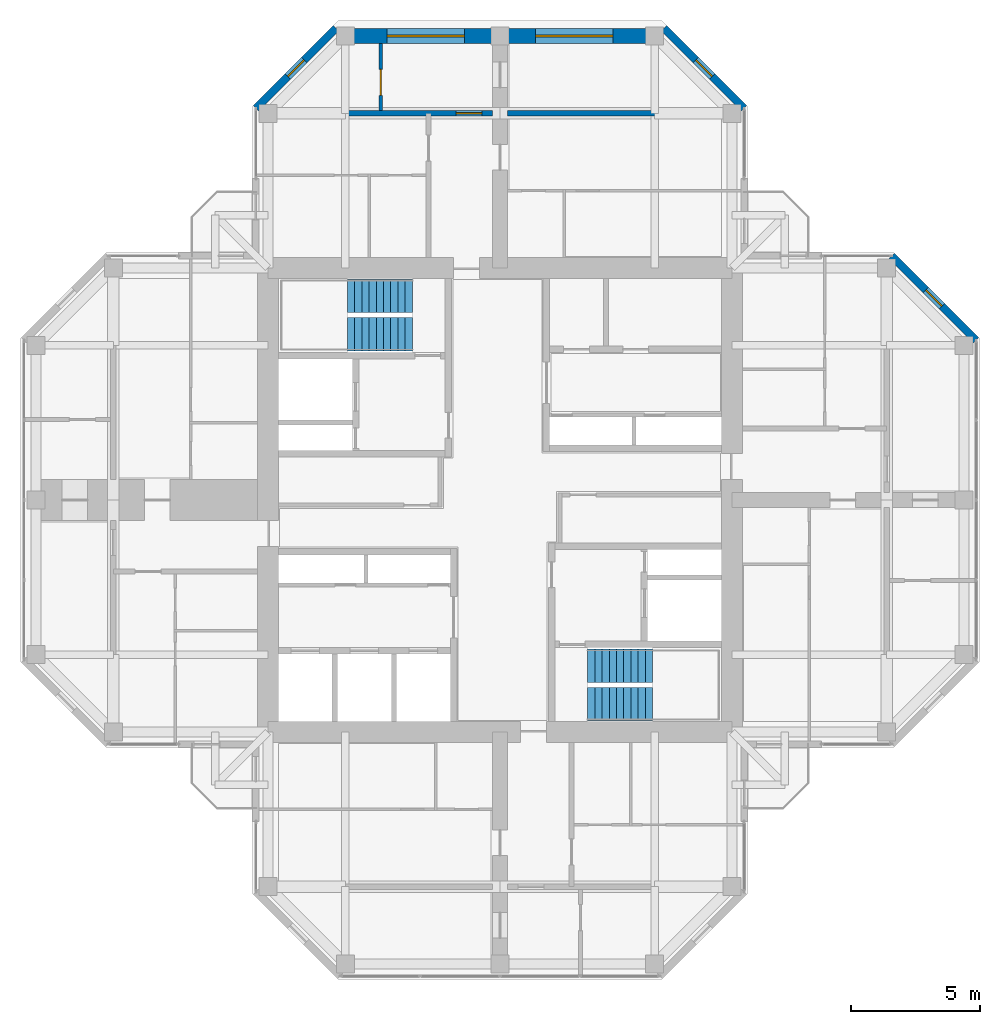
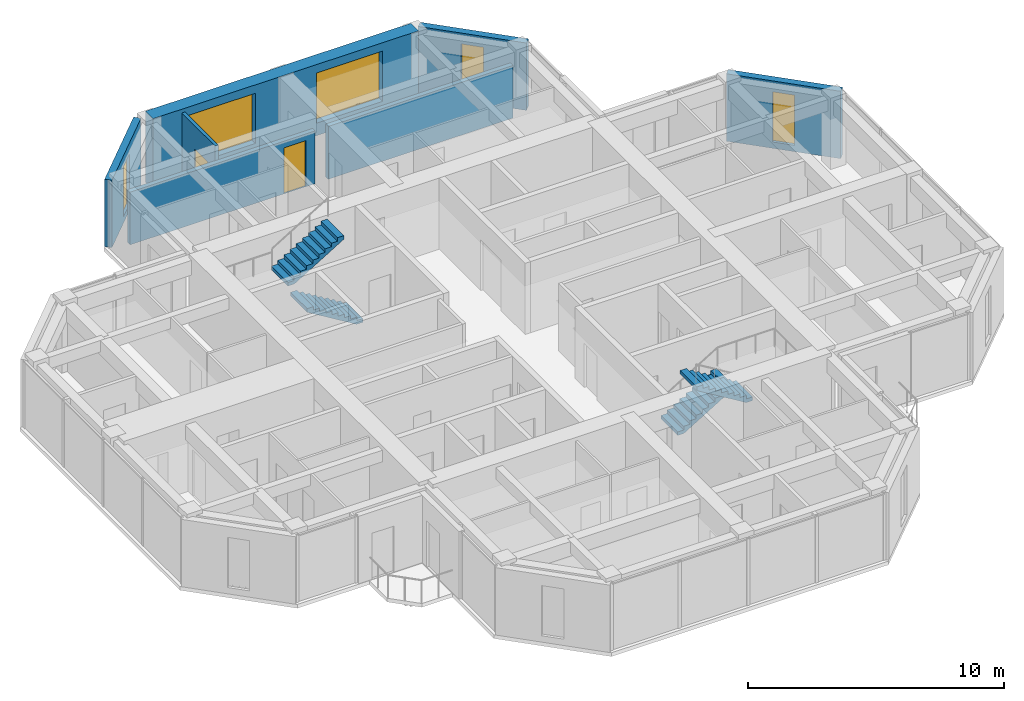
# One storey, part 12 of 13: 7 walls, 5 windows, 4 stair flights, 2 doors, 7 openings, 2 elements without a shape of their own.
"""IFC4 building model written with IfcOpenShell, lengths in metres."""

from ifc_helpers import new_model, si_unit, direction, frame, frame_2d, origin, place, context, subcontext, project, spatial, polyline, rectangle, hollow_rectangle, outline, extrude, material, layer, layer_set, constituent, constituent_set, type_object, element, fill, aggregate, save


model = new_model("IFC4")

# Units and contexts
model_context = context("Model", 3, precision=1e-05, world=origin(), true_north=direction((0.0, 1.0)))
body_context = subcontext(model_context, "Body", "Model", "MODEL_VIEW")
ifc_project = project(units=[si_unit("LENGTHUNIT", "METRE"), si_unit("AREAUNIT", "SQUARE_METRE"), si_unit("VOLUMEUNIT", "CUBIC_METRE"), si_unit("PLANEANGLEUNIT", "RADIAN"), si_unit("MASSUNIT", "GRAM", prefix="KILO")], contexts=[model_context])

# Site, building, storey
site_placement = place(None, origin())
site = spatial("IfcSite", under=ifc_project, at=site_placement, CompositionType="ELEMENT")
building_placement = place(site_placement, origin())
building = spatial("IfcBuilding", under=site, at=building_placement, Name="Torre Cruceta", CompositionType="ELEMENT")
storey_placement = place(building_placement, frame((0.0, 0.0, 264.5)))
storey = spatial("IfcBuildingStorey", under=building, at=storey_placement, Name="L68", CompositionType="ELEMENT", Elevation=264.5)

# Wall, opening, window
ifc_material_1 = material(Name="Concrete G30 (fck 30 MPa)", Category="concrete")
ifc_layer_1 = layer(ifc_material_1, 0.300048828125)
ifc_layer_set_1 = layer_set([ifc_layer_1], Name="Concrete G30 (fck 30 MPa)")
wall_type_1 = type_object("IfcWallType", Name="EXPOSED CONCRETE FACADE WALL 300", PredefinedType="SOLIDWALL", material=ifc_layer_set_1)
wall_1_placement = place(storey_placement, frame((18.469970703125, 6.194580078125, 0.0), z_axis=(0.0, 0.0, 1.0), x_axis=(-0.707106781187, 0.707106781187, 0.0)))
wall_1 = element("IfcWall", 1, at=wall_1_placement, inside=storey, type_object=wall_type_1, Name="EW1 facade wall L68 E chamfer 03", PredefinedType="SOLIDWALL", context=body_context, shape_type="SweptSolid", body=[
    extrude(rectangle(XDim=4.632080078125, YDim=0.300048828125, at=frame_2d((2.31591796875, 0.0))), origin(), (0.0, 0.0, 1.0), 3.219970703125),
])
opening_1_placement = place(wall_1_placement, frame((1.865966796875, 0.0, 0.300048828125)))
opening_1 = element("IfcOpeningElement", 2, at=opening_1_placement, cuts=wall_1, Name="Opening WN5", PredefinedType="OPENING", context=body_context, shape_type="SweptSolid", body=[
    extrude(rectangle(XDim=0.89990234375, YDim=2.39990234375, at=frame_2d((0.449951171875, 1.199951171875))), frame((0.0, 0.159912109375, 0.0), z_axis=(0.0, -1.0, 0.0), x_axis=(1.0, 0.0, 0.0)), (0.0, 0.0, 1.0), 0.320068359375),
])
ifc_material_2 = material(Name="Aluminium window frame", Category="aluminium")
ifc_constituent_1 = constituent(ifc_material_2, Name="Frame")
ifc_material_3 = material(Name="Laminated insulating glass unit, low-iron clear", Category="glass")
ifc_constituent_2 = constituent(ifc_material_3, Name="Glazing")
ifc_constituent_set_1 = constituent_set(constituents=[ifc_constituent_1, ifc_constituent_2], Name="Aluminium window")
window_type_1 = type_object("IfcWindowType", Name="CHAMFER SLOT WINDOW 900X2400", PartitioningType="SINGLE_PANEL", PredefinedType="WINDOW", material=ifc_constituent_set_1)
window_1_placement = place(opening_1_placement, origin())
window_1 = element("IfcWindow", 3, at=window_1_placement, inside=storey, type_object=window_type_1, Name="WN5 L68 E 1", OverallHeight=2.39990234375, OverallWidth=0.89990234375, PartitioningType="SINGLE_PANEL", PredefinedType="WINDOW", context=body_context, shape_type="SweptSolid", body=[
    extrude(hollow_rectangle(XDim=0.89990234375, YDim=2.39990234375, WallThickness=0.06005859375, at=frame_2d((0.449951171875, 1.199951171875))), frame((0.0, 0.030029296875, 0.0), z_axis=(0.0, -1.0, 0.0), x_axis=(1.0, 0.0, 0.0)), (0.0, 0.0, 1.0), 0.06005859375),
    extrude(rectangle(XDim=0.77880859375, YDim=2.27880859375, at=frame_2d((0.449951171875, 1.199951171875))), frame((0.0, 0.030029296875, 0.0), z_axis=(0.0, -1.0, 0.0), x_axis=(1.0, 0.0, 0.0)), (0.0, 0.0, 1.0), 0.06005859375),
])
fill(opening_1, window_1)

wall_2_placement = place(storey_placement, frame((9.469970703125, 15.194580078125, 0.0), z_axis=(0.0, 0.0, 1.0), x_axis=(-0.70707898447, 0.707134576811, 0.0)))
wall_2 = element("IfcWall", 4, at=wall_2_placement, inside=storey, type_object=wall_type_1, Name="EW1 facade wall L68 N chamfer 06", PredefinedType="SOLIDWALL", context=body_context, shape_type="SweptSolid", body=[
    extrude(rectangle(XDim=4.3916015625, YDim=0.300048828125, at=frame_2d((2.19580078125, 0.0))), origin(), (0.0, 0.0, 1.0), 3.219970703125),
])
opening_2_placement = place(wall_2_placement, frame((1.745849609375, 0.0, 0.300048828125)))
opening_2 = element("IfcOpeningElement", 5, at=opening_2_placement, cuts=wall_2, Name="Opening WN5", PredefinedType="OPENING", context=body_context, shape_type="SweptSolid", body=[
    extrude(rectangle(XDim=0.89990234375, YDim=2.39990234375, at=frame_2d((0.449951171875, 1.199951171875))), frame((0.0, 0.159912109375, 0.0), z_axis=(0.0, -1.0, 0.0), x_axis=(1.0, 0.0, 0.0)), (0.0, 0.0, 1.0), 0.320068359375),
])
window_2_placement = place(opening_2_placement, origin())
window_2 = element("IfcWindow", 6, at=window_2_placement, inside=storey, type_object=window_type_1, Name="WN5 L68 N 1", OverallHeight=2.39990234375, OverallWidth=0.89990234375, PartitioningType="SINGLE_PANEL", PredefinedType="WINDOW", context=body_context, shape_type="SweptSolid", body=[
    extrude(hollow_rectangle(XDim=0.89990234375, YDim=2.39990234375, WallThickness=0.06005859375, at=frame_2d((0.449951171875, 1.199951171875))), frame((0.0, 0.030029296875, 0.0), z_axis=(0.0, -1.0, 0.0), x_axis=(1.0, 0.0, 0.0)), (0.0, 0.0, 1.0), 0.06005859375),
    extrude(rectangle(XDim=0.77880859375, YDim=2.27880859375, at=frame_2d((0.449951171875, 1.199951171875))), frame((0.0, 0.030029296875, 0.0), z_axis=(0.0, -1.0, 0.0), x_axis=(1.0, 0.0, 0.0)), (0.0, 0.0, 1.0), 0.06005859375),
])
fill(opening_2, window_2)

wall_3_placement = place(storey_placement, frame((-6.36474609375, 18.300048828125, 0.0), z_axis=(0.0, 0.0, 1.0), x_axis=(-0.70707898447, -0.707134576811, 0.0)))
wall_3 = element("IfcWall", 7, at=wall_3_placement, inside=storey, type_object=wall_type_1, Name="EW1 facade wall L68 N chamfer 08", PredefinedType="SOLIDWALL", context=body_context, shape_type="SweptSolid", body=[
    extrude(rectangle(XDim=4.3916015625, YDim=0.300048828125, at=frame_2d((2.19580078125, 0.0))), origin(), (0.0, 0.0, 1.0), 3.219970703125),
])
opening_3_placement = place(wall_3_placement, frame((1.745849609375, 0.0, 0.300048828125)))
opening_3 = element("IfcOpeningElement", 8, at=opening_3_placement, cuts=wall_3, Name="Opening WN5", PredefinedType="OPENING", context=body_context, shape_type="SweptSolid", body=[
    extrude(rectangle(XDim=0.89990234375, YDim=2.39990234375, at=frame_2d((0.449951171875, 1.199951171875))), frame((0.0, 0.159912109375, 0.0), z_axis=(0.0, -1.0, 0.0), x_axis=(1.0, 0.0, 0.0)), (0.0, 0.0, 1.0), 0.320068359375),
])
window_3_placement = place(opening_3_placement, origin())
window_3 = element("IfcWindow", 9, at=window_3_placement, inside=storey, type_object=window_type_1, Name="WN5 L68 N 1", OverallHeight=2.39990234375, OverallWidth=0.89990234375, PartitioningType="SINGLE_PANEL", PredefinedType="WINDOW", context=body_context, shape_type="SweptSolid", body=[
    extrude(hollow_rectangle(XDim=0.89990234375, YDim=2.39990234375, WallThickness=0.06005859375, at=frame_2d((0.449951171875, 1.199951171875))), frame((0.0, 0.030029296875, 0.0), z_axis=(0.0, -1.0, 0.0), x_axis=(1.0, 0.0, 0.0)), (0.0, 0.0, 1.0), 0.06005859375),
    extrude(rectangle(XDim=0.77880859375, YDim=2.27880859375, at=frame_2d((0.449951171875, 1.199951171875))), frame((0.0, 0.030029296875, 0.0), z_axis=(0.0, -1.0, 0.0), x_axis=(1.0, 0.0, 0.0)), (0.0, 0.0, 1.0), 0.06005859375),
])
fill(opening_3, window_3)

# Wall, openings, windows
ifc_material_4 = material(Name="Concrete G60 (fck 60 MPa)", Category="concrete")
ifc_layer_2 = layer(ifc_material_4, 0.60009765625)
ifc_layer_set_2 = layer_set([ifc_layer_2], Name="Concrete G60 (fck 60 MPa)")
wall_type_2 = type_object("IfcWallType", Name="NOSE WALL 600 G60", PredefinedType="SHEAR", material=ifc_layer_set_2)
wall_4_placement = place(storey_placement, frame((6.0, 18.0, 0.0), z_axis=(0.0, 0.0, 1.0), x_axis=(-1.0, 0.0, 0.0)))
wall_4 = element("IfcWall", 10, at=wall_4_placement, inside=storey, type_object=wall_type_2, Name="NW3 nose wall L68 N", PredefinedType="SHEAR", context=body_context, shape_type="SweptSolid", body=[
    extrude(rectangle(XDim=12.0, YDim=0.60009765625, at=frame_2d((6.0, 0.0))), origin(), (0.0, 0.0, 1.0), 3.39990234375),
])
opening_4_placement = place(wall_4_placement, frame((1.625, 0.0, 0.60009765625)))
opening_4 = element("IfcOpeningElement", 11, at=opening_4_placement, cuts=wall_4, Name="Opening WN6", PredefinedType="OPENING", context=body_context, shape_type="SweptSolid", body=[
    extrude(rectangle(XDim=3.0, YDim=2.39990234375, at=frame_2d((1.5, 1.199951171875))), frame((0.0, 0.31005859375, 0.0), z_axis=(0.0, -1.0, 0.0), x_axis=(1.0, 0.0, 0.0)), (0.0, 0.0, 1.0), 0.6201171875),
])
opening_5_placement = place(wall_4_placement, frame((7.375, 0.0, 0.60009765625)))
opening_5 = element("IfcOpeningElement", 12, at=opening_5_placement, cuts=wall_4, Name="Opening WN6", PredefinedType="OPENING", context=body_context, shape_type="SweptSolid", body=[
    extrude(rectangle(XDim=3.0, YDim=2.39990234375, at=frame_2d((1.5, 1.199951171875))), frame((0.0, 0.31005859375, 0.0), z_axis=(0.0, -1.0, 0.0), x_axis=(1.0, 0.0, 0.0)), (0.0, 0.0, 1.0), 0.6201171875),
])
ifc_material_5 = material(Name="Aluminium window frame", Category="aluminium")
ifc_constituent_3 = constituent(ifc_material_5, Name="Frame")
ifc_material_6 = material(Name="Laminated insulating glass unit, low-iron clear", Category="glass")
ifc_constituent_4 = constituent(ifc_material_6, Name="Glazing")
ifc_constituent_set_2 = constituent_set(constituents=[ifc_constituent_3, ifc_constituent_4], Name="Aluminium window")
window_type_2 = type_object("IfcWindowType", Name="NOSE WALL WINDOW 3000X2400", PartitioningType="SINGLE_PANEL", PredefinedType="WINDOW", material=ifc_constituent_set_2)
window_4_placement = place(opening_4_placement, origin())
window_4 = element("IfcWindow", 13, at=window_4_placement, inside=storey, type_object=window_type_2, Name="WN6 L68 N 1", OverallHeight=2.39990234375, OverallWidth=3.0, PartitioningType="SINGLE_PANEL", PredefinedType="WINDOW", context=body_context, shape_type="SweptSolid", body=[
    extrude(hollow_rectangle(XDim=3.0, YDim=2.39990234375, WallThickness=0.06005859375, at=frame_2d((1.5, 1.199951171875))), frame((0.0, 0.030029296875, 0.0), z_axis=(0.0, -1.0, 0.0), x_axis=(1.0, 0.0, 0.0)), (0.0, 0.0, 1.0), 0.06005859375),
    extrude(rectangle(XDim=2.87890625, YDim=2.27880859375, at=frame_2d((1.5, 1.199951171875))), frame((0.0, 0.030029296875, 0.0), z_axis=(0.0, -1.0, 0.0), x_axis=(1.0, 0.0, 0.0)), (0.0, 0.0, 1.0), 0.06005859375),
])
fill(opening_4, window_4)
window_5_placement = place(opening_5_placement, origin())
window_5 = element("IfcWindow", 14, at=window_5_placement, inside=storey, type_object=window_type_2, Name="WN6 L68 N 2", OverallHeight=2.39990234375, OverallWidth=3.0, PartitioningType="SINGLE_PANEL", PredefinedType="WINDOW", context=body_context, shape_type="SweptSolid", body=[
    extrude(hollow_rectangle(XDim=3.0, YDim=2.39990234375, WallThickness=0.06005859375, at=frame_2d((1.5, 1.199951171875))), frame((0.0, 0.030029296875, 0.0), z_axis=(0.0, -1.0, 0.0), x_axis=(1.0, 0.0, 0.0)), (0.0, 0.0, 1.0), 0.06005859375),
    extrude(rectangle(XDim=2.87890625, YDim=2.27880859375, at=frame_2d((1.5, 1.199951171875))), frame((0.0, 0.030029296875, 0.0), z_axis=(0.0, -1.0, 0.0), x_axis=(1.0, 0.0, 0.0)), (0.0, 0.0, 1.0), 0.06005859375),
])
fill(opening_5, window_5)

# Wall, opening, door
ifc_material_7 = material(Name="Plasterboard on steel studs", Category="steel")
ifc_layer_3 = layer(ifc_material_7, 0.14990234375)
ifc_layer_set_3 = layer_set([ifc_layer_3], Name="Plasterboard on steel studs")
wall_type_3 = type_object("IfcWallType", Name="PARTITION 150", PredefinedType="PARTITIONING", material=ifc_layer_set_3)
wall_5_placement = place(storey_placement, frame((-4.625, 15.10009765625, 0.0), z_axis=(0.0, 0.0, 1.0), x_axis=(0.0, 1.0, 0.0)))
wall_5 = element("IfcWall", 15, at=wall_5_placement, inside=storey, type_object=wall_type_3, Name="PT1 L68-N-ENDX", PredefinedType="PARTITIONING", context=body_context, shape_type="SweptSolid", body=[
    extrude(rectangle(XDim=2.599853515625, YDim=0.14990234375, at=frame_2d((1.2998046875, 0.0))), origin(), (0.0, 0.0, 1.0), 3.219970703125),
])
opening_6_placement = place(wall_5_placement, frame((0.60009765625, 0.0, 0.0)))
opening_6 = element("IfcOpeningElement", 16, at=opening_6_placement, cuts=wall_5, Name="Opening D3", PredefinedType="OPENING", context=body_context, shape_type="SweptSolid", body=[
    extrude(rectangle(XDim=1.0, YDim=2.10009765625, at=frame_2d((0.5, 1.050048828125))), frame((0.0, 0.0849609375, 0.0), z_axis=(0.0, -1.0, 0.0), x_axis=(1.0, 0.0, 0.0)), (0.0, 0.0, 1.0), 0.169921875),
])
ifc_material_8 = material(Name="Steel DX51D", Category="steel")
ifc_constituent_5 = constituent(ifc_material_8, Name="Leaf and frame")
ifc_material_9 = material(Name="Polyester powder coating", Category="paint")
ifc_constituent_6 = constituent(ifc_material_9, Name="Finish")
ifc_constituent_set_3 = constituent_set(constituents=[ifc_constituent_5, ifc_constituent_6], Name="Steel fire door")
door_type_1 = type_object("IfcDoorType", Name="FIRE DOOR 1000X2100", OperationType="SINGLE_SWING_LEFT", PredefinedType="DOOR", material=ifc_constituent_set_3)
door_1_placement = place(opening_6_placement, origin())
door_1 = element("IfcDoor", 17, at=door_1_placement, inside=storey, type_object=door_type_1, Name="D3 L68-N-ENDX-D1", OperationType="SINGLE_SWING_LEFT", OverallHeight=2.10009765625, OverallWidth=1.0, PredefinedType="DOOR", context=body_context, shape_type="SweptSolid", body=[
    extrude(rectangle(XDim=1.0, YDim=2.10009765625, at=frame_2d((0.5, 1.050048828125))), frame((0.0, 0.02490234375, 0.0), z_axis=(0.0, -1.0, 0.0), x_axis=(1.0, 0.0, 0.0)), (0.0, 0.0, 1.0), 0.050048828125),
])
fill(opening_6, door_1)

# Wall
ifc_material_10 = material(Name="Concrete G25 (fck 25 MPa)", Category="concrete")
ifc_layer_4 = layer(ifc_material_10, 0.199951171875)
ifc_layer_set_4 = layer_set([ifc_layer_4], Name="Concrete G25 (fck 25 MPa)")
wall_type_4 = type_object("IfcWallType", Name="UNIT SEPARATING WALL 200", PredefinedType="SOLIDWALL", material=ifc_layer_set_4)
wall_6_placement = place(storey_placement, frame((8.64990234375, 15.0, 0.0), z_axis=(0.0, 0.0, 1.0), x_axis=(-1.0, 0.0, 0.0)))
element("IfcWall", 18, at=wall_6_placement, inside=storey, type_object=wall_type_4, Name="PT2 L68-N-ENDa", PredefinedType="SOLIDWALL", context=body_context, shape_type="SweptSolid", body=[
    extrude(rectangle(XDim=8.349853515625, YDim=0.199951171875, at=frame_2d((4.1748046875, 0.0))), origin(), (0.0, 0.0, 1.0), 2.52001953125),
])

# Wall, opening, door
wall_7_placement = place(storey_placement, frame((-0.300048828125, 15.0, 0.0), z_axis=(0.0, 0.0, 1.0), x_axis=(-1.0, 0.0, 0.0)))
wall_7 = element("IfcWall", 19, at=wall_7_placement, inside=storey, type_object=wall_type_4, Name="PT2 L68-N-ENDb", PredefinedType="SOLIDWALL", context=body_context, shape_type="SweptSolid", body=[
    extrude(rectangle(XDim=8.349853515625, YDim=0.199951171875, at=frame_2d((4.1748046875, 0.0))), origin(), (0.0, 0.0, 1.0), 2.52001953125),
])
opening_7_placement = place(wall_7_placement, frame((0.39990234375, 0.0, 0.0)))
opening_7 = element("IfcOpeningElement", 20, at=opening_7_placement, cuts=wall_7, Name="Opening D14", PredefinedType="OPENING", context=body_context, shape_type="SweptSolid", body=[
    extrude(rectangle(XDim=1.0, YDim=2.199951171875, at=frame_2d((0.5, 1.10009765625))), frame((0.0, 0.10986328125, 0.0), z_axis=(0.0, -1.0, 0.0), x_axis=(1.0, 0.0, 0.0)), (0.0, 0.0, 1.0), 0.219970703125),
])
ifc_material_11 = material(Name="Steel DX51D", Category="steel")
ifc_constituent_7 = constituent(ifc_material_11, Name="Leaf and frame")
ifc_material_12 = material(Name="Polyester powder coating", Category="paint")
ifc_constituent_8 = constituent(ifc_material_12, Name="Finish")
ifc_material_13 = material(Name="Fire-resisting glass", Category="glass")
ifc_constituent_9 = constituent(ifc_material_13, Name="Vision panel")
ifc_constituent_set_4 = constituent_set(constituents=[ifc_constituent_7, ifc_constituent_8, ifc_constituent_9], Name="Steel fire door with vision panel")
door_type_2 = type_object("IfcDoorType", Name="FIRE DOOR VISION PANEL 1000X2200", OperationType="SINGLE_SWING_RIGHT", PredefinedType="DOOR", material=ifc_constituent_set_4)
door_2_placement = place(opening_7_placement, frame((1.0, 0.0, 0.0), z_axis=(0.0, 0.0, 1.0), x_axis=(-1.0, 0.0, 0.0)))
door_2 = element("IfcDoor", 21, at=door_2_placement, inside=storey, type_object=door_type_2, Name="D14 L68-N-ENDb-D1", OperationType="SINGLE_SWING_RIGHT", OverallHeight=2.199951171875, OverallWidth=1.0, PredefinedType="DOOR", context=body_context, shape_type="SweptSolid", body=[
    extrude(rectangle(XDim=1.0, YDim=2.199951171875, at=frame_2d((0.5, 1.10009765625))), frame((0.0, 0.025146484375, 0.0), z_axis=(0.0, -1.0, 0.0), x_axis=(1.0, 0.0, 0.0)), (0.0, 0.0, 1.0), 0.050048828125),
])
fill(opening_7, door_2)

# Stair, stair flights
ifc_material_14 = material(Name="Concrete G30 (fck 30 MPa)", Category="concrete")
stair_type = type_object("IfcStairType", Name="STAIR HALF-TURN 1300", PredefinedType="HALF_TURN_STAIR", material=ifc_material_14)
stair_1_placement = place(storey_placement, origin())
stair_1 = element("IfcStair", 22, at=stair_1_placement, inside=storey, type_object=stair_type, Name="Stair ST1 L68", PredefinedType="HALF_TURN_STAIR")
ifc_material_15 = material(Name="Concrete G30 (fck 30 MPa)", Category="concrete")
stair_flight_type = type_object("IfcStairFlightType", Name="STAIR FLIGHT 1300", PredefinedType="STRAIGHT", material=ifc_material_15)
stair_flight_1_placement = place(storey_placement, frame((-3.39990234375, 6.425048828125, 0.0), z_axis=(0.0, 0.0, 1.0), x_axis=(-1.0, 0.0, 0.0)))
stair_flight_1 = element("IfcStairFlight", 23, at=stair_flight_1_placement, type_object=stair_flight_type, Name="ST1 flight 1", NumberOfRisers=10, NumberOfTreads=9, PredefinedType="STRAIGHT", RiserHeight=0.17, TreadLength=0.28, context=body_context, shape_type="SweptSolid", body=[
    extrude(outline(polyline([(0.0, 0.0), (0.0, 0.169921875), (0.280029296875, 0.169921875), (0.280029296875, 0.340087890625), (0.56005859375, 0.340087890625), (0.56005859375, 0.510009765625), (0.840087890625, 0.510009765625), (0.840087890625, 0.679931640625), (1.1201171875, 0.679931640625), (1.1201171875, 0.85009765625), (1.39990234375, 0.85009765625), (1.39990234375, 1.02001953125), (1.679931640625, 1.02001953125), (1.679931640625, 1.18994140625), (1.9599609375, 1.18994140625), (1.9599609375, 1.360107421875), (2.239990234375, 1.360107421875), (2.239990234375, 1.530029296875), (2.52001953125, 1.530029296875), (2.52001953125, 1.699951171875), (2.52001953125, 1.354736328125), (0.288818359375, 0.0), (0.0, 0.0)])), frame((0.0, 0.64990234375, 0.0), z_axis=(0.0, -1.0, 0.0), x_axis=(1.0, 0.0, 0.0)), (0.0, 0.0, 1.0), 1.300048828125),
])
stair_flight_2_placement = place(storey_placement, frame((-5.919921875, 7.925048828125, 1.699951171875), z_axis=(0.0, 0.0, 1.0), x_axis=(1.0, 0.0, 0.0)))
stair_flight_2 = element("IfcStairFlight", 24, at=stair_flight_2_placement, type_object=stair_flight_type, Name="ST1 flight 2", NumberOfRisers=10, NumberOfTreads=9, PredefinedType="STRAIGHT", RiserHeight=0.17, TreadLength=0.28, context=body_context, shape_type="SweptSolid", body=[
    extrude(outline(polyline([(0.0, 0.0), (0.0, 0.169921875), (0.280029296875, 0.169921875), (0.280029296875, 0.340087890625), (0.56005859375, 0.340087890625), (0.56005859375, 0.510009765625), (0.840087890625, 0.510009765625), (0.840087890625, 0.679931640625), (1.1201171875, 0.679931640625), (1.1201171875, 0.85009765625), (1.39990234375, 0.85009765625), (1.39990234375, 1.02001953125), (1.679931640625, 1.02001953125), (1.679931640625, 1.18994140625), (1.9599609375, 1.18994140625), (1.9599609375, 1.360107421875), (2.239990234375, 1.360107421875), (2.239990234375, 1.530029296875), (2.52001953125, 1.530029296875), (2.52001953125, 1.699951171875), (2.52001953125, 1.354736328125), (0.288818359375, 0.0), (0.0, 0.0)])), frame((0.0, 0.64990234375, 0.0), z_axis=(0.0, -1.0, 0.0), x_axis=(1.0, 0.0, 0.0)), (0.0, 0.0, 1.0), 1.300048828125),
])
aggregate(stair_1, [stair_flight_1, stair_flight_2])

stair_2_placement = place(storey_placement, origin())
stair_2 = element("IfcStair", 25, at=stair_2_placement, inside=storey, type_object=stair_type, Name="Stair ST2 L68", PredefinedType="HALF_TURN_STAIR")
stair_flight_3_placement = place(storey_placement, frame((3.39990234375, -6.425048828125, 0.0), z_axis=(0.0, 0.0, 1.0), x_axis=(1.0, 0.0, 0.0)))
stair_flight_3 = element("IfcStairFlight", 26, at=stair_flight_3_placement, type_object=stair_flight_type, Name="ST2 flight 1", NumberOfRisers=10, NumberOfTreads=9, PredefinedType="STRAIGHT", RiserHeight=0.17, TreadLength=0.28, context=body_context, shape_type="SweptSolid", body=[
    extrude(outline(polyline([(0.0, 0.0), (0.0, 0.169921875), (0.280029296875, 0.169921875), (0.280029296875, 0.340087890625), (0.56005859375, 0.340087890625), (0.56005859375, 0.510009765625), (0.840087890625, 0.510009765625), (0.840087890625, 0.679931640625), (1.1201171875, 0.679931640625), (1.1201171875, 0.85009765625), (1.39990234375, 0.85009765625), (1.39990234375, 1.02001953125), (1.679931640625, 1.02001953125), (1.679931640625, 1.18994140625), (1.9599609375, 1.18994140625), (1.9599609375, 1.360107421875), (2.239990234375, 1.360107421875), (2.239990234375, 1.530029296875), (2.52001953125, 1.530029296875), (2.52001953125, 1.699951171875), (2.52001953125, 1.354736328125), (0.288818359375, 0.0), (0.0, 0.0)])), frame((0.0, 0.64990234375, 0.0), z_axis=(0.0, -1.0, 0.0), x_axis=(1.0, 0.0, 0.0)), (0.0, 0.0, 1.0), 1.300048828125),
])
stair_flight_4_placement = place(storey_placement, frame((5.919921875, -7.925048828125, 1.699951171875), z_axis=(0.0, 0.0, 1.0), x_axis=(-1.0, 0.0, 0.0)))
stair_flight_4 = element("IfcStairFlight", 27, at=stair_flight_4_placement, type_object=stair_flight_type, Name="ST2 flight 2", NumberOfRisers=10, NumberOfTreads=9, PredefinedType="STRAIGHT", RiserHeight=0.17, TreadLength=0.28, context=body_context, shape_type="SweptSolid", body=[
    extrude(outline(polyline([(0.0, 0.0), (0.0, 0.169921875), (0.280029296875, 0.169921875), (0.280029296875, 0.340087890625), (0.56005859375, 0.340087890625), (0.56005859375, 0.510009765625), (0.840087890625, 0.510009765625), (0.840087890625, 0.679931640625), (1.1201171875, 0.679931640625), (1.1201171875, 0.85009765625), (1.39990234375, 0.85009765625), (1.39990234375, 1.02001953125), (1.679931640625, 1.02001953125), (1.679931640625, 1.18994140625), (1.9599609375, 1.18994140625), (1.9599609375, 1.360107421875), (2.239990234375, 1.360107421875), (2.239990234375, 1.530029296875), (2.52001953125, 1.530029296875), (2.52001953125, 1.699951171875), (2.52001953125, 1.354736328125), (0.288818359375, 0.0), (0.0, 0.0)])), frame((0.0, 0.64990234375, 0.0), z_axis=(0.0, -1.0, 0.0), x_axis=(1.0, 0.0, 0.0)), (0.0, 0.0, 1.0), 1.300048828125),
])
aggregate(stair_2, [stair_flight_3, stair_flight_4])

save(model, "model.ifc")
